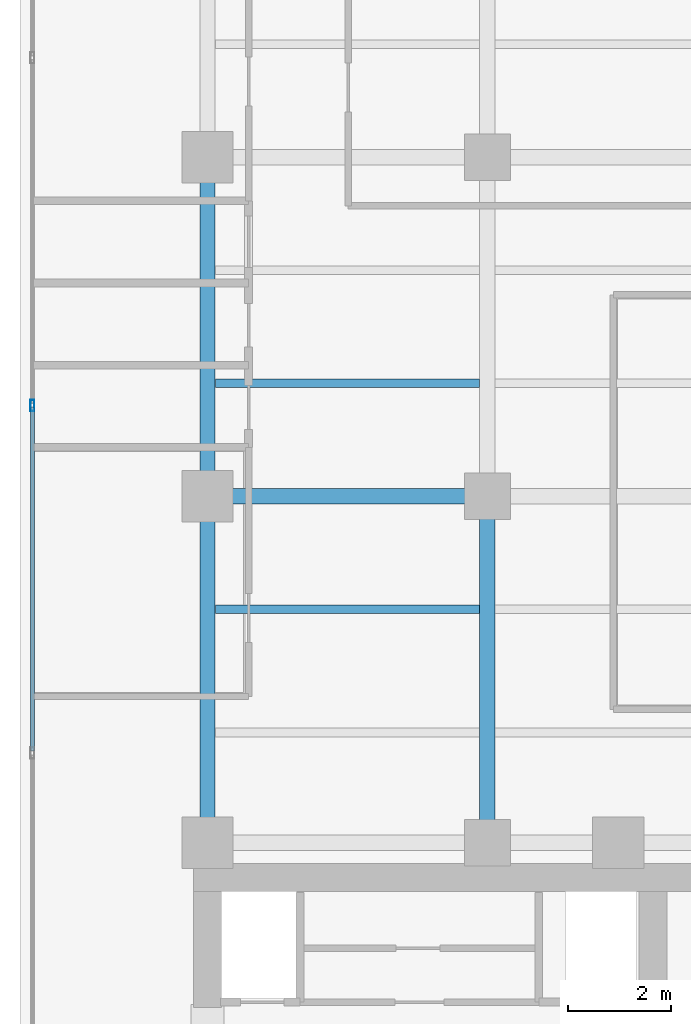
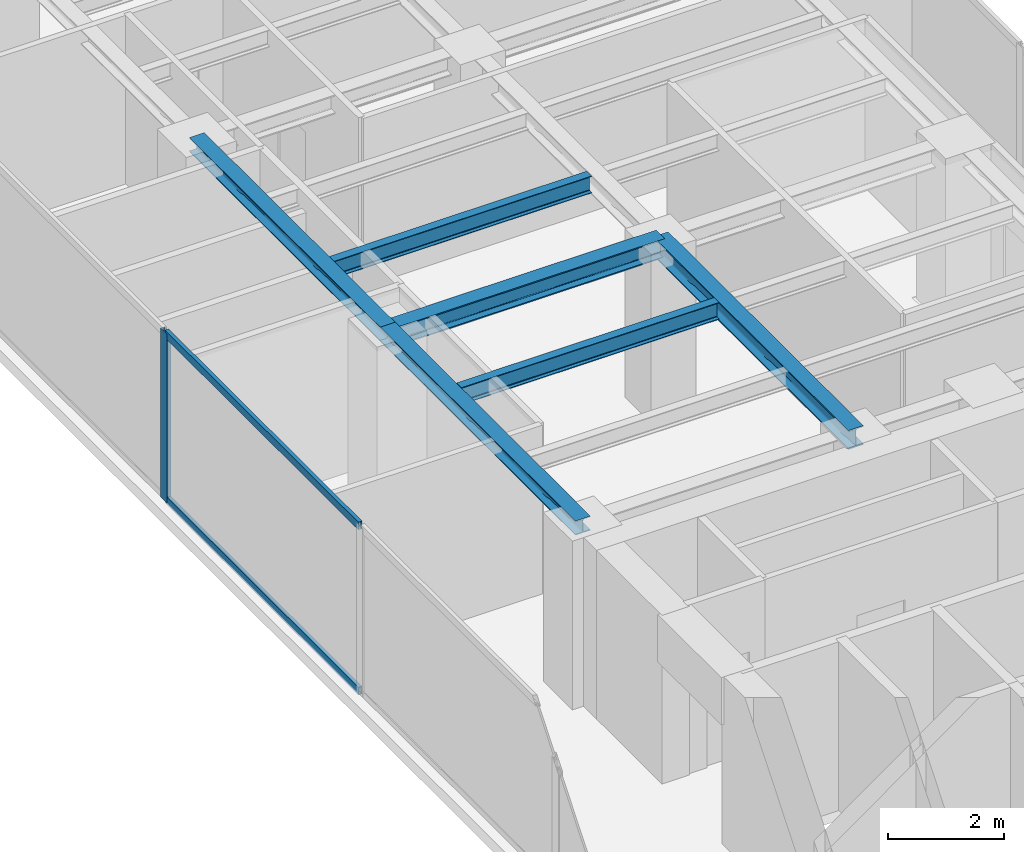
# One storey, part 8 of 24: 6 beams, 3 members, 1 element without a shape of its own.
"""IFC4 building model written with IfcOpenShell, lengths in metres."""

from ifc_helpers import new_model, si_unit, direction, frame, origin, origin_with_axes, origin_2d, place, context, subcontext, project, spatial, hollow_rectangle, i_section, extrude, source, transform, mapped, material, layer, layer_set, material_profile, profile_set, type_object, element, aggregate, save


model = new_model("IFC4")

# Units and contexts
model_context = context("Model", 3, precision=1e-05, world=origin(), true_north=direction((0.0, 1.0)))
body_context = subcontext(model_context, "Body", "Model", "MODEL_VIEW")
ifc_project = project(units=[si_unit("LENGTHUNIT", "METRE"), si_unit("AREAUNIT", "SQUARE_METRE"), si_unit("VOLUMEUNIT", "CUBIC_METRE"), si_unit("PLANEANGLEUNIT", "RADIAN"), si_unit("MASSUNIT", "GRAM", prefix="KILO")], contexts=[model_context])

# Site, building, storey
site_placement = place(None, origin())
site = spatial("IfcSite", under=ifc_project, at=site_placement, CompositionType="ELEMENT")
building_placement = place(site_placement, origin())
building = spatial("IfcBuilding", under=site, at=building_placement, Name="Kolvaren Waterfront Exchange", CompositionType="ELEMENT")
storey_placement = place(building_placement, frame((0.0, 0.0, 208.300048828125)))
storey = spatial("IfcBuildingStorey", under=building, at=storey_placement, Name="L53", CompositionType="ELEMENT", Elevation=208.300048828125)

# Beams
ifc_material_1 = material(Name="Steel S355", Category="steel")
ifc_material_profile_1 = material_profile(ifc_material_1, i_section(OverallWidth=0.300048828125, OverallDepth=0.300048828125, WebThickness=0.010986328125, FlangeThickness=0.01904296875, FilletRadius=0.027099609375, at=origin_2d()), Name="HEB300")
ifc_profile_set_1 = profile_set([ifc_material_profile_1], Name="Steel S355")
beam_type_1 = type_object("IfcBeamType", Name="STR-BM-HEB300", PredefinedType="SPANDREL", material=ifc_profile_set_1)
beam_1_placement = place(storey_placement, frame((7.449951171875, 24.449951171875, 3.409912109375), z_axis=(0.0, 1.0, 0.0), x_axis=(-1.0, 0.0, 0.0)))
element("IfcBeam", 1, at=beam_1_placement, inside=storey, type_object=beam_type_1, Name="L53 north-arm edge beam 1", PredefinedType="SPANDREL", context=body_context, shape_type="SweptSolid", body=[
    extrude(i_section(OverallWidth=0.300048828125, OverallDepth=0.300048828125, WebThickness=0.010986328125, FlangeThickness=0.01904296875, FilletRadius=0.027099609375, at=origin_2d()), origin(), (0.0, 0.0, 1.0), 6.75),
])
beam_2_placement = place(storey_placement, frame((7.449951171875, 31.199951171875, 3.409912109375), z_axis=(0.0, 1.0, 0.0), x_axis=(-1.0, 0.0, 0.0)))
element("IfcBeam", 2, at=beam_2_placement, inside=storey, type_object=beam_type_1, Name="L53 north-arm edge beam 2", PredefinedType="SPANDREL", context=body_context, shape_type="SweptSolid", body=[
    extrude(i_section(OverallWidth=0.300048828125, OverallDepth=0.300048828125, WebThickness=0.010986328125, FlangeThickness=0.01904296875, FilletRadius=0.027099609375, at=origin_2d()), origin(), (0.0, 0.0, 1.0), 6.60009765625),
])
ifc_material_profile_2 = material_profile(ifc_material_1, i_section(OverallWidth=0.300048828125, OverallDepth=0.39990234375, WebThickness=0.013427734375, FlangeThickness=0.02392578125, FilletRadius=0.027099609375, at=origin_2d()), Name="HEB400")
ifc_profile_set_2 = profile_set([ifc_material_profile_2], Name="Steel S355")
beam_type_2 = type_object("IfcBeamType", Name="STR-BM-HEB400", PredefinedType="BEAM", material=ifc_profile_set_2)
beam_3_placement = place(storey_placement, frame((7.449951171875, 31.199951171875, 3.35986328125), z_axis=(1.0, 0.0, 0.0), x_axis=(0.0, 1.0, 0.0)))
element("IfcBeam", 3, at=beam_3_placement, inside=storey, type_object=beam_type_2, Name="L53 north-arm girder 2A", PredefinedType="BEAM", context=body_context, shape_type="SweptSolid", body=[
    extrude(i_section(OverallWidth=0.300048828125, OverallDepth=0.39990234375, WebThickness=0.013427734375, FlangeThickness=0.02392578125, FilletRadius=0.027099609375, at=origin_2d()), origin(), (0.0, 0.0, 1.0), 5.449951171875),
])
beam_4_placement = place(storey_placement, frame((12.89990234375, 24.449951171875, 3.35986328125), z_axis=(0.0, 1.0, 0.0), x_axis=(-1.0, 0.0, 0.0)))
element("IfcBeam", 4, at=beam_4_placement, inside=storey, type_object=beam_type_2, Name="L53 north-arm edge beam 1", PredefinedType="BEAM", context=body_context, shape_type="SweptSolid", body=[
    extrude(i_section(OverallWidth=0.300048828125, OverallDepth=0.39990234375, WebThickness=0.013427734375, FlangeThickness=0.02392578125, FilletRadius=0.027099609375, at=origin_2d()), origin(), (0.0, 0.0, 1.0), 6.75),
])
ifc_material_profile_3 = material_profile(ifc_material_1, i_section(OverallWidth=0.169921875, OverallDepth=0.360107421875, WebThickness=0.008056640625, FlangeThickness=0.0126953125, FilletRadius=0.01806640625, at=origin_2d()), Name="IPE360")
ifc_profile_set_3 = profile_set([ifc_material_profile_3], Name="Steel S355")
beam_type_3 = type_object("IfcBeamType", Name="STR-BM-IPE360", PredefinedType="JOIST", material=ifc_profile_set_3)
for number, where, z_axis, x_axis, name in (
    (5, (7.60205078125, 29.0, 3.3798828125), (1.0, 0.0, 0.0), (0.0, 1.0, 0.0), "L53 north-arm composite joist 2A"),
    (6, (7.60205078125, 33.39990234375, 3.3798828125), (1.0, 0.0, 0.0), (0.0, 1.0, 0.0), "L53 north-arm composite joist 3A"),
):
    element("IfcBeam", number, at=place(storey_placement, frame(where, z_axis=z_axis, x_axis=x_axis)), inside=storey, type_object=beam_type_3, Name=name, PredefinedType="JOIST", context=body_context, shape_type="SweptSolid", body=[
        extrude(i_section(OverallWidth=0.169921875, OverallDepth=0.360107421875, WebThickness=0.008056640625, FlangeThickness=0.0126953125, FilletRadius=0.01806640625, at=origin_2d()), origin(), (0.0, 0.0, 1.0), 5.14599609375),
    ])

# Curtain wall, members
ifc_material_2 = material(Name="Anodised aluminium 6063-T6", Category="aluminium")
ifc_layer = layer(ifc_material_2, 0.219970703125, Name="Anodised aluminium 6063-T6")
ifc_layer_set = layer_set([ifc_layer], Name="Anodised aluminium 6063-T6")
curtain_wall_type = type_object("IfcCurtainWallType", Name="ARC-CW-SYS2", PredefinedType="USERDEFINED", material=ifc_layer_set)
curtain_wall_placement = place(storey_placement, origin())
curtain_wall = element("IfcCurtainWall", 7, at=curtain_wall_placement, inside=storey, type_object=curtain_wall_type, Name="L53 stick curtain wall CW2 (CW-L53-W)", ObjectType="STICK CURTAIN WALL", PredefinedType="USERDEFINED")
ifc_material_profile_4 = material_profile(ifc_material_2, hollow_rectangle(XDim=0.080078125, YDim=0.219970703125, WallThickness=0.0048828125, at=origin_2d()), Name="ALU-MUL-220x80x5")
ifc_profile_set_4 = profile_set([ifc_material_profile_4], Name="Anodised aluminium 6063-T6")
member_type_1 = type_object("IfcMemberType", Name="ARC-CWM-220", PredefinedType="MULLION", material=ifc_profile_set_4)
shared_shape_1 = source(origin_with_axes(), body_context, "Body", "SweptSolid", [
    extrude(hollow_rectangle(XDim=0.080078125, YDim=0.219970703125, WallThickness=0.0048828125, at=origin_2d()), origin(), (0.0, 0.0, 1.0), 3.56005859375),
])
member_1_placement = place(storey_placement, frame((4.0400390625, 32.966552734375, 0.0), z_axis=(0.0, 0.0, 1.0), x_axis=(-1.0, 0.0, 0.0)))
member_1 = element("IfcMember", 8, at=member_1_placement, type_object=member_type_1, Name="CW2 mullion 5", PredefinedType="MULLION", context=body_context, shape_type="MappedRepresentation", body=[
    mapped(shared_shape_1, transform((0.0, 0.0, 0.0), x_axis=(1.0, 0.0, 0.0), y_axis=(0.0, 1.0, 0.0), z_axis=(0.0, 0.0, 1.0), scale=1.0)),
])
ifc_material_profile_5 = material_profile(ifc_material_2, hollow_rectangle(XDim=0.074951171875, YDim=0.159912109375, WallThickness=0.00439453125, at=origin_2d()), Name="ALU-TRN-160x75x4.5")
ifc_profile_set_5 = profile_set([ifc_material_profile_5], Name="Anodised aluminium 6063-T6")
member_type_2 = type_object("IfcMemberType", Name="ARC-CWT-160", PredefinedType="USERDEFINED", material=ifc_profile_set_5)
shared_shape_2 = source(origin_with_axes(), body_context, "Body", "SweptSolid", [
    extrude(hollow_rectangle(XDim=0.074951171875, YDim=0.159912109375, WallThickness=0.00439453125, at=origin_2d()), origin(), (0.0, 0.0, 1.0), 6.686767578125),
])
member_2_placement = place(storey_placement, frame((4.0400390625, 26.239990234375, 0.037353515625), z_axis=(0.0, 1.0, 0.0), x_axis=(-1.0, 0.0, 0.0)))
member_2 = element("IfcMember", 9, at=member_2_placement, type_object=member_type_2, Name="CW2 transom 4.1", ObjectType="TRANSOM", PredefinedType="USERDEFINED", context=body_context, shape_type="MappedRepresentation", body=[
    mapped(shared_shape_2, transform((0.0, 0.0, 0.0), x_axis=(1.0, 0.0, 0.0), y_axis=(0.0, 1.0, 0.0), z_axis=(0.0, 0.0, 1.0), scale=1.0)),
])
member_3_placement = place(storey_placement, frame((4.0400390625, 26.239990234375, 3.5224609375), z_axis=(0.0, 1.0, 0.0), x_axis=(-1.0, 0.0, 0.0)))
member_3 = element("IfcMember", 10, at=member_3_placement, type_object=member_type_2, Name="CW2 transom 4.2", ObjectType="TRANSOM", PredefinedType="USERDEFINED", context=body_context, shape_type="MappedRepresentation", body=[
    mapped(shared_shape_2, transform((0.0, 0.0, 0.0), x_axis=(1.0, 0.0, 0.0), y_axis=(0.0, 1.0, 0.0), z_axis=(0.0, 0.0, 1.0), scale=1.0)),
])
aggregate(curtain_wall, [member_1, member_2, member_3])

save(model, "model.ifc")
